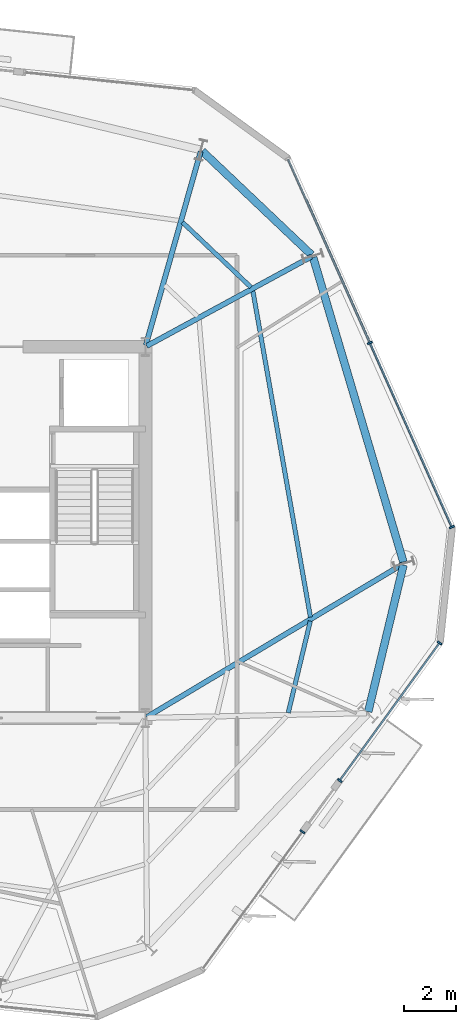
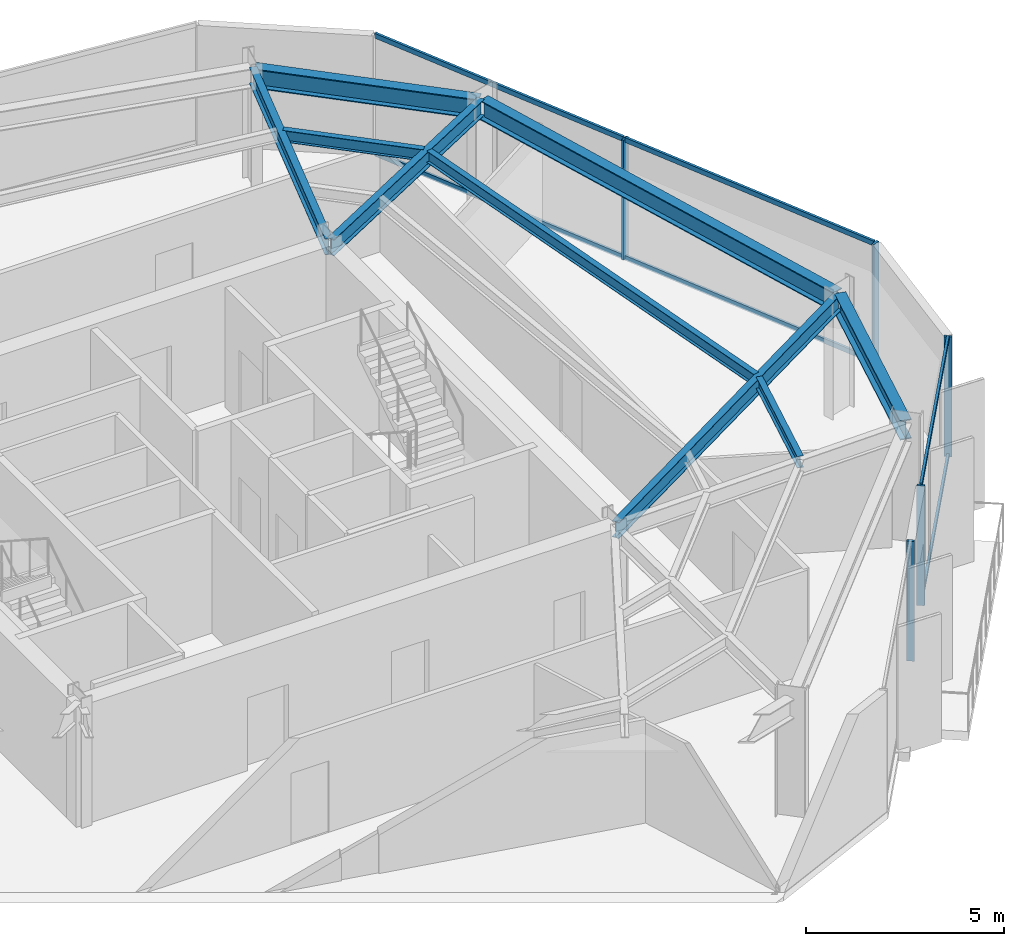
# One storey, part 5 of 12: 11 members, 9 beams, 3 elements without a shape of their own.
"""IFC4 building model written with IfcOpenShell, lengths in metres."""

from ifc_helpers import new_model, si_unit, direction, frame, origin, origin_2d, place, context, subcontext, project, spatial, rectangle, i_section, extrude, material, layer, layer_set, material_profile, profile_set, type_object, element, aggregate, save


model = new_model("IFC4")

# Units and contexts
model_context = context("Model", 3, precision=1e-05, world=origin(), true_north=direction((0.0, 1.0)))
body_context = subcontext(model_context, "Body", "Model", "MODEL_VIEW")
ifc_project = project(units=[si_unit("LENGTHUNIT", "METRE"), si_unit("AREAUNIT", "SQUARE_METRE"), si_unit("VOLUMEUNIT", "CUBIC_METRE"), si_unit("PLANEANGLEUNIT", "RADIAN"), si_unit("MASSUNIT", "GRAM", prefix="KILO")], contexts=[model_context])

# Site, building, storey
site_placement = place(None, origin())
site = spatial("IfcSite", under=ifc_project, at=site_placement, CompositionType="ELEMENT")
building_placement = place(site_placement, origin())
building = spatial("IfcBuilding", under=site, at=building_placement, Name="Kranzbogen Civic Tower", CompositionType="ELEMENT")
storey_placement = place(building_placement, frame((0.0, 0.0, 240.800048828125)))
storey = spatial("IfcBuildingStorey", under=building, at=storey_placement, Name="L58", CompositionType="ELEMENT", Elevation=240.800048828125)

# Curtain wall, member
ifc_material_1 = material(Name="Pale Anodised Aluminium", Category="aluminium")
ifc_layer = layer(ifc_material_1, 0.219970703125, Name="Pale Anodised Aluminium")
ifc_layer_set = layer_set([ifc_layer], Name="Pale Anodised Aluminium")
curtain_wall_type = type_object("IfcCurtainWallType", Name="Zone 3 Stick Curtain Wall System CW-04", PredefinedType="USERDEFINED", material=ifc_layer_set)
curtain_wall_1_placement = place(storey_placement, origin())
curtain_wall_1 = element("IfcCurtainWall", 1, at=curtain_wall_1_placement, inside=storey, type_object=curtain_wall_type, Name="L58 curtain wall CW-L58-F5-S1", ObjectType="STICK CURTAIN WALL", PredefinedType="USERDEFINED")
ifc_material_profile_1 = material_profile(ifc_material_1, rectangle(XDim=0.070068359375, YDim=0.199951171875, at=origin_2d()), Name="ALU-M 70x200")
ifc_profile_set_1 = profile_set([ifc_material_profile_1], Name="Pale Anodised Aluminium")
member_type_1 = type_object("IfcMemberType", Name="Curtain Wall Mullion ALU-M 70x200", PredefinedType="MULLION", material=ifc_profile_set_1)
member_1_placement = place(storey_placement, frame((38.8974609375, 13.3828125, 0.0), z_axis=(0.0, 0.0, 1.0), x_axis=(0.587787374231, 0.809015452692, 0.0)))
member_1 = element("IfcMember", 2, at=member_1_placement, type_object=member_type_1, Name="CW-04 mullion 2", PredefinedType="MULLION", context=body_context, shape_type="SweptSolid", body=[
    extrude(rectangle(XDim=0.070068359375, YDim=0.199951171875, at=origin_2d()), origin(), (0.0, 0.0, 1.0), 3.699951171875),
])
aggregate(curtain_wall_1, [member_1])

# Curtain wall, members
curtain_wall_2_placement = place(storey_placement, origin())
curtain_wall_2 = element("IfcCurtainWall", 3, at=curtain_wall_2_placement, inside=storey, type_object=curtain_wall_type, Name="L58 curtain wall CW-L58-F5-S2", ObjectType="STICK CURTAIN WALL", PredefinedType="USERDEFINED")
member_2_placement = place(storey_placement, frame((40.342529296875, 15.372314453125, 0.0), z_axis=(0.0, 0.0, 1.0), x_axis=(0.587787374231, 0.809015452692, 0.0)))
member_2 = element("IfcMember", 4, at=member_2_placement, type_object=member_type_1, Name="CW-04 mullion 1", PredefinedType="MULLION", context=body_context, shape_type="SweptSolid", body=[
    extrude(rectangle(XDim=0.070068359375, YDim=0.199951171875, at=origin_2d()), origin(), (0.0, 0.0, 1.0), 3.699951171875),
])
member_3_placement = place(storey_placement, frame((44.21826171875, 20.706787109375, 0.0), z_axis=(0.0, 0.0, 1.0), x_axis=(0.587787374231, 0.809015452692, 0.0)))
member_3 = element("IfcMember", 5, at=member_3_placement, type_object=member_type_1, Name="CW-04 mullion 2", PredefinedType="MULLION", context=body_context, shape_type="SweptSolid", body=[
    extrude(rectangle(XDim=0.070068359375, YDim=0.199951171875, at=origin_2d()), origin(), (0.0, 0.0, 1.0), 3.699951171875),
])

curtain_wall_3_placement = place(storey_placement, origin())
curtain_wall_3 = element("IfcCurtainWall", 6, at=curtain_wall_3_placement, inside=storey, type_object=curtain_wall_type, Name="L58 curtain wall CW-L58-F6", ObjectType="STICK CURTAIN WALL", PredefinedType="USERDEFINED")
member_4_placement = place(storey_placement, frame((44.69189453125, 25.203369140625, 0.0), z_axis=(0.0, 0.0, 1.0), x_axis=(-0.406811748243, 0.913512014968, 0.0)))
member_4 = element("IfcMember", 7, at=member_4_placement, type_object=member_type_1, Name="CW-04 mullion 1", PredefinedType="MULLION", context=body_context, shape_type="SweptSolid", body=[
    extrude(rectangle(XDim=0.070068359375, YDim=0.199951171875, at=origin_2d()), origin(), (0.0, 0.0, 1.0), 3.699951171875),
])
member_5_placement = place(storey_placement, frame((41.509033203125, 32.3505859375, 0.0), z_axis=(0.0, 0.0, 1.0), x_axis=(-0.406811748243, 0.913512014968, 0.0)))
member_5 = element("IfcMember", 8, at=member_5_placement, type_object=member_type_1, Name="CW-04 mullion 2", PredefinedType="MULLION", context=body_context, shape_type="SweptSolid", body=[
    extrude(rectangle(XDim=0.070068359375, YDim=0.199951171875, at=origin_2d()), origin(), (0.0, 0.0, 1.0), 3.699951171875),
])

# Member
ifc_material_profile_2 = material_profile(ifc_material_1, rectangle(XDim=0.070068359375, YDim=0.14990234375, at=origin_2d()), Name="ALU-T 70x150")
ifc_profile_set_2 = profile_set([ifc_material_profile_2], Name="Pale Anodised Aluminium")
member_type_2 = type_object("IfcMemberType", Name="Curtain Wall Transom ALU-T 70x150", PredefinedType="USERDEFINED", material=ifc_profile_set_2)
member_6_placement = place(storey_placement, frame((40.3603515625, 15.396484375, 0.030029296875), z_axis=(0.587776147652, 0.809023609206, 0.0), x_axis=(-0.809023609206, 0.587776147652, 0.0)))
member_6 = element("IfcMember", 9, at=member_6_placement, type_object=member_type_2, Name="CW-04 transom 1.1", ObjectType="TRANSOM", PredefinedType="USERDEFINED", context=body_context, shape_type="SweptSolid", body=[
    extrude(rectangle(XDim=0.070068359375, YDim=0.14990234375, at=origin_2d()), origin(), (0.0, 0.0, 1.0), 6.53369140625),
])

member_7_placement = place(storey_placement, frame((40.3603515625, 15.396484375, 3.669921875), z_axis=(0.587776147652, 0.809023609206, 0.0), x_axis=(-0.809023609206, 0.587776147652, 0.0)))
member_7 = element("IfcMember", 10, at=member_7_placement, type_object=member_type_2, Name="CW-04 transom 1.2", ObjectType="TRANSOM", PredefinedType="USERDEFINED", context=body_context, shape_type="SweptSolid", body=[
    extrude(rectangle(XDim=0.070068359375, YDim=0.14990234375, at=origin_2d()), origin(), (0.0, 0.0, 1.0), 6.53369140625),
])

aggregate(curtain_wall_2, [member_2, member_3, member_6, member_7])

member_8_placement = place(storey_placement, frame((44.6796875, 25.230712890625, 0.030029296875), z_axis=(-0.406818172924, 0.913509153856, 0.0), x_axis=(-0.913509153856, -0.406818172924, 0.0)))
member_8 = element("IfcMember", 11, at=member_8_placement, type_object=member_type_2, Name="CW-04 transom 1.1", ObjectType="TRANSOM", PredefinedType="USERDEFINED", context=body_context, shape_type="SweptSolid", body=[
    extrude(rectangle(XDim=0.070068359375, YDim=0.14990234375, at=origin_2d()), origin(), (0.0, 0.0, 1.0), 7.763671875),
])

member_9_placement = place(storey_placement, frame((44.6796875, 25.230712890625, 3.669921875), z_axis=(-0.406818172924, 0.913509153856, 0.0), x_axis=(-0.913509153856, -0.406818172924, 0.0)))
member_9 = element("IfcMember", 12, at=member_9_placement, type_object=member_type_2, Name="CW-04 transom 1.2", ObjectType="TRANSOM", PredefinedType="USERDEFINED", context=body_context, shape_type="SweptSolid", body=[
    extrude(rectangle(XDim=0.070068359375, YDim=0.14990234375, at=origin_2d()), origin(), (0.0, 0.0, 1.0), 7.763671875),
])

member_10_placement = place(storey_placement, frame((41.496826171875, 32.3779296875, 0.030029296875), z_axis=(-0.406818172924, 0.913509153856, 0.0), x_axis=(-0.913509153856, -0.406818172924, 0.0)))
member_10 = element("IfcMember", 13, at=member_10_placement, type_object=member_type_2, Name="CW-04 transom 2.1", ObjectType="TRANSOM", PredefinedType="USERDEFINED", context=body_context, shape_type="SweptSolid", body=[
    extrude(rectangle(XDim=0.070068359375, YDim=0.14990234375, at=origin_2d()), origin(), (0.0, 0.0, 1.0), 7.763671875),
])

member_11_placement = place(storey_placement, frame((41.496826171875, 32.3779296875, 3.669921875), z_axis=(-0.406818172924, 0.913509153856, 0.0), x_axis=(-0.913509153856, -0.406818172924, 0.0)))
member_11 = element("IfcMember", 14, at=member_11_placement, type_object=member_type_2, Name="CW-04 transom 2.2", ObjectType="TRANSOM", PredefinedType="USERDEFINED", context=body_context, shape_type="SweptSolid", body=[
    extrude(rectangle(XDim=0.070068359375, YDim=0.14990234375, at=origin_2d()), origin(), (0.0, 0.0, 1.0), 7.763671875),
])

aggregate(curtain_wall_3, [member_4, member_5, member_8, member_9, member_10, member_11])

# Beams
ifc_material_2 = material(Name="Steel S355", Category="steel")
ifc_material_profile_3 = material_profile(ifc_material_2, i_section(OverallWidth=0.300048828125, OverallDepth=0.60009765625, WebThickness=0.015380859375, FlangeThickness=0.030029296875, at=origin_2d()), Name="HEB 600")
ifc_profile_set_3 = profile_set([ifc_material_profile_3], Name="Steel S355")
beam_type_1 = type_object("IfcBeamType", Name="Perimeter Tube Spandrel Beam HEB 600", PredefinedType="SPANDREL", material=ifc_profile_set_3)
beam_1_placement = place(storey_placement, frame((41.447021484375, 18.0419921875, 3.39990234375), z_axis=(0.233554380434, 0.972343741369, 0.0), x_axis=(-0.972343741369, 0.233554380434, 0.0)))
element("IfcBeam", 15, at=beam_1_placement, inside=storey, type_object=beam_type_1, Name="L58 perimeter spandrel beam 05", PredefinedType="SPANDREL", context=body_context, shape_type="SweptSolid", body=[
    extrude(i_section(OverallWidth=0.300048828125, OverallDepth=0.60009765625, WebThickness=0.015380859375, FlangeThickness=0.030029296875, at=origin_2d()), origin(), (0.0, 0.0, 1.0), 5.852783203125),
])
beam_2_placement = place(storey_placement, frame((42.81103515625, 23.84912109375, 3.39990234375), z_axis=(-0.284064048956, 0.958805306666, 0.0), x_axis=(-0.958805306666, -0.284064048956, 0.0)))
element("IfcBeam", 16, at=beam_2_placement, inside=storey, type_object=beam_type_1, Name="L58 perimeter spandrel beam 06", PredefinedType="SPANDREL", context=body_context, shape_type="SweptSolid", body=[
    extrude(i_section(OverallWidth=0.300048828125, OverallDepth=0.60009765625, WebThickness=0.015380859375, FlangeThickness=0.030029296875, at=origin_2d()), origin(), (0.0, 0.0, 1.0), 12.32470703125),
])
beam_3_placement = place(storey_placement, frame((39.2490234375, 35.764892578125, 3.39990234375), z_axis=(-0.725245206788, 0.688490660816, 0.0), x_axis=(-0.688490660816, -0.725245206788, 0.0)))
element("IfcBeam", 17, at=beam_3_placement, inside=storey, type_object=beam_type_1, Name="L58 perimeter spandrel beam 07", PredefinedType="SPANDREL", context=body_context, shape_type="SweptSolid", body=[
    extrude(i_section(OverallWidth=0.300048828125, OverallDepth=0.60009765625, WebThickness=0.015380859375, FlangeThickness=0.030029296875, at=origin_2d()), origin(), (0.0, 0.0, 1.0), 5.85205078125),
])
ifc_material_profile_4 = material_profile(ifc_material_2, i_section(OverallWidth=0.199951171875, OverallDepth=0.5, WebThickness=0.01025390625, FlangeThickness=0.01611328125, at=origin_2d()), Name="IPE 500")
ifc_profile_set_4 = profile_set([ifc_material_profile_4], Name="Steel S355")
beam_type_2 = type_object("IfcBeamType", Name="Radial Tower Floor Girder IPE 500", PredefinedType="BEAM", material=ifc_profile_set_4)
beam_4_placement = place(storey_placement, frame((42.77587890625, 23.760009765625, 3.449951171875), z_axis=(-0.858458551809, -0.512882944565, 0.0), x_axis=(0.512882944565, -0.858458551809, 0.0)))
element("IfcBeam", 18, at=beam_4_placement, inside=storey, type_object=beam_type_2, Name="L58 radial floor girder 06", PredefinedType="BEAM", context=body_context, shape_type="SweptSolid", body=[
    extrude(i_section(OverallWidth=0.199951171875, OverallDepth=0.5, WebThickness=0.01025390625, FlangeThickness=0.01611328125, at=origin_2d()), origin(), (0.0, 0.0, 1.0), 11.56005859375),
])
beam_5_placement = place(storey_placement, frame((39.239990234375, 35.695068359375, 3.449951171875), z_axis=(-0.878919430102, -0.476970266777, 0.0), x_axis=(0.476970266777, -0.878919430102, 0.0)))
element("IfcBeam", 19, at=beam_5_placement, inside=storey, type_object=beam_type_2, Name="L58 radial floor girder 07", PredefinedType="BEAM", context=body_context, shape_type="SweptSolid", body=[
    extrude(i_section(OverallWidth=0.199951171875, OverallDepth=0.5, WebThickness=0.01025390625, FlangeThickness=0.01611328125, at=origin_2d()), origin(), (0.0, 0.0, 1.0), 7.266845703125),
])
beam_6_placement = place(storey_placement, frame((34.945068359375, 39.777099609375, 3.449951171875), z_axis=(-0.272455078988, -0.962168503919, 0.0), x_axis=(0.962168503919, -0.272455078988, 0.0)))
element("IfcBeam", 20, at=beam_6_placement, inside=storey, type_object=beam_type_2, Name="L58 radial floor girder 08", PredefinedType="BEAM", context=body_context, shape_type="SweptSolid", body=[
    extrude(i_section(OverallWidth=0.199951171875, OverallDepth=0.5, WebThickness=0.01025390625, FlangeThickness=0.01611328125, at=origin_2d()), origin(), (0.0, 0.0, 1.0), 7.814697265625),
])
ifc_material_profile_5 = material_profile(ifc_material_2, i_section(OverallWidth=0.169921875, OverallDepth=0.360107421875, WebThickness=0.008056640625, FlangeThickness=0.0126953125, at=origin_2d()), Name="IPE 360")
ifc_profile_set_5 = profile_set([ifc_material_profile_5], Name="Steel S355")
beam_type_3 = type_object("IfcBeamType", Name="Secondary Composite Floor Joist IPE 360", PredefinedType="JOIST", material=ifc_profile_set_5)
beam_7_placement = place(storey_placement, frame((38.343994140625, 17.99609375, 3.52001953125), z_axis=(0.233534367714, 0.972348548154, 0.0), x_axis=(-0.972348548154, 0.233534367714, 0.0)))
element("IfcBeam", 21, at=beam_7_placement, inside=storey, type_object=beam_type_3, Name="L58 secondary floor joist 1.05", PredefinedType="JOIST", context=body_context, shape_type="SweptSolid", body=[
    extrude(i_section(OverallWidth=0.169921875, OverallDepth=0.360107421875, WebThickness=0.008056640625, FlangeThickness=0.0126953125, at=origin_2d()), origin(), (0.0, 0.0, 1.0), 3.6611328125),
])
beam_8_placement = place(storey_placement, frame((39.2041015625, 21.712890625, 3.52001953125), z_axis=(-0.173805911364, 0.984779927281, 0.0), x_axis=(-0.984779927281, -0.173805911364, 0.0)))
element("IfcBeam", 22, at=beam_8_placement, inside=storey, type_object=beam_type_3, Name="L58 secondary floor joist 1.06", PredefinedType="JOIST", context=body_context, shape_type="SweptSolid", body=[
    extrude(i_section(OverallWidth=0.169921875, OverallDepth=0.360107421875, WebThickness=0.008056640625, FlangeThickness=0.0126953125, at=origin_2d()), origin(), (0.0, 0.0, 1.0), 12.85986328125),
])
beam_9_placement = place(storey_placement, frame((36.89697265625, 34.510009765625, 3.52001953125), z_axis=(-0.725300648604, 0.688432254572, 0.0), x_axis=(-0.688432254572, -0.725300648604, 0.0)))
element("IfcBeam", 23, at=beam_9_placement, inside=storey, type_object=beam_type_3, Name="L58 secondary floor joist 1.07", PredefinedType="JOIST", context=body_context, shape_type="SweptSolid", body=[
    extrude(i_section(OverallWidth=0.169921875, OverallDepth=0.360107421875, WebThickness=0.008056640625, FlangeThickness=0.0126953125, at=origin_2d()), origin(), (0.0, 0.0, 1.0), 3.661865234375),
])

save(model, "model.ifc")
